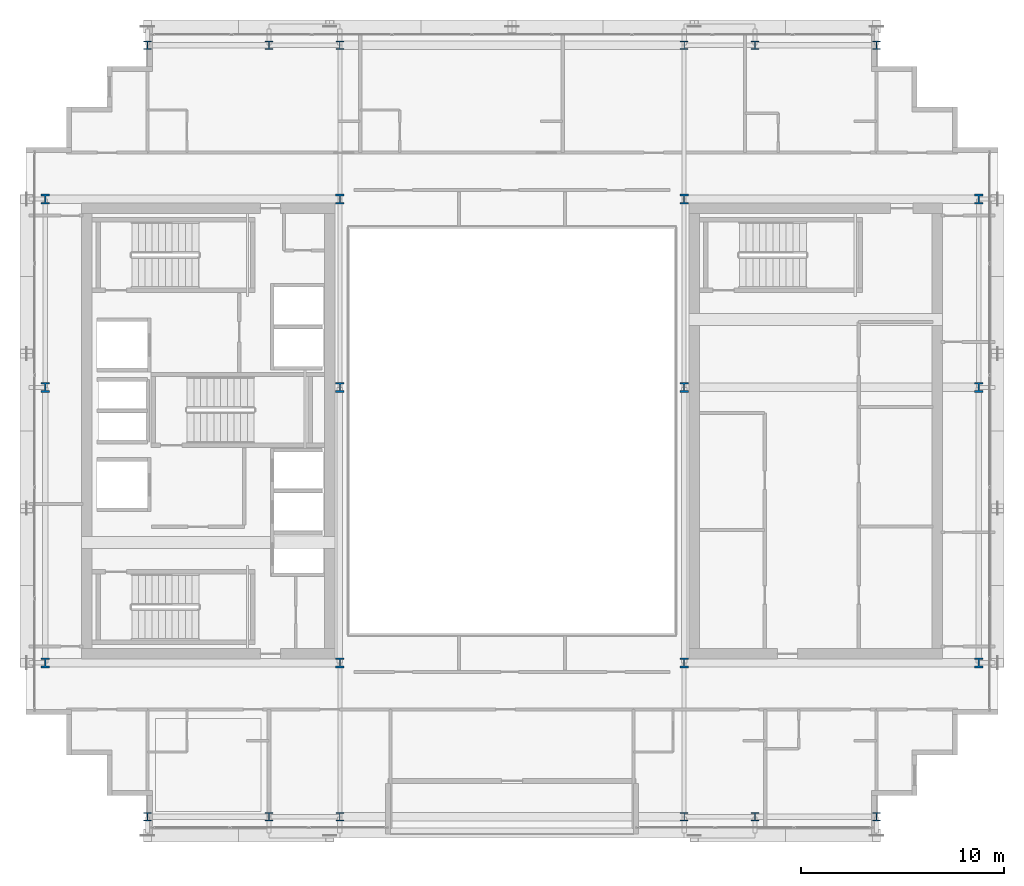
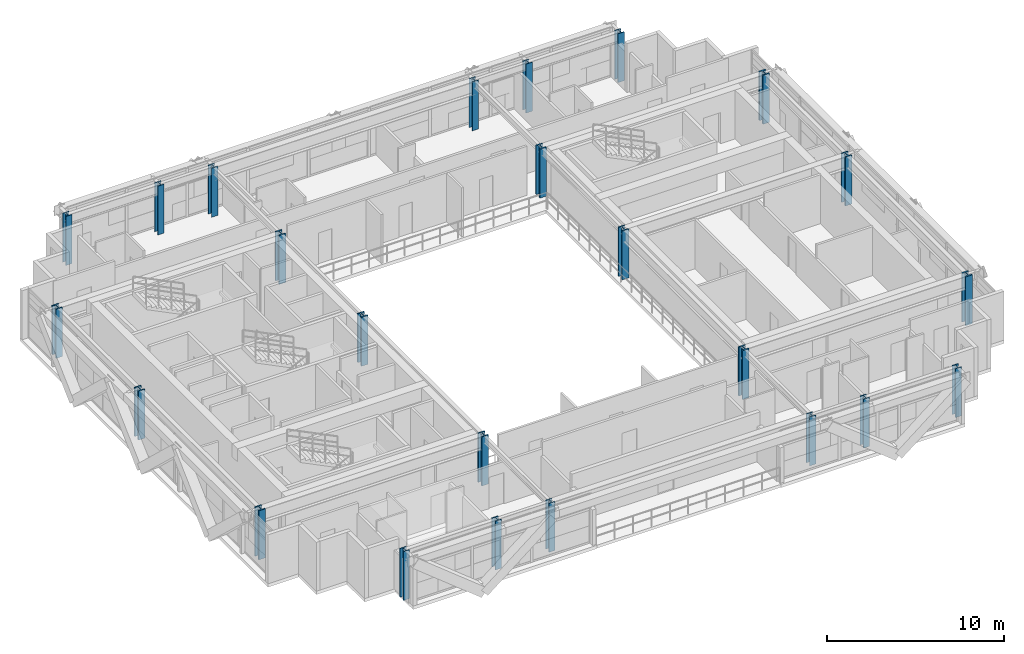
# One storey, part 1 of 32: 24 columns.
"""IFC4 building model written with IfcOpenShell, lengths in metres."""

from ifc_helpers import new_model, si_unit, direction, frame, origin, origin_2d, place, context, subcontext, project, spatial, i_section, extrude, source, transform, mapped, material, material_profile, profile_set, type_object, element, save


model = new_model("IFC4")

# Units and contexts
model_context = context("Model", 3, precision=1e-05, world=origin(), true_north=direction((0.0, 1.0)))
body_context = subcontext(model_context, "Body", "Model", "MODEL_VIEW")
ifc_project = project(units=[si_unit("LENGTHUNIT", "METRE"), si_unit("AREAUNIT", "SQUARE_METRE"), si_unit("VOLUMEUNIT", "CUBIC_METRE"), si_unit("PLANEANGLEUNIT", "RADIAN"), si_unit("MASSUNIT", "GRAM", prefix="KILO")], contexts=[model_context])

# Site, building, storey
site_placement = place(None, origin())
site = spatial("IfcSite", under=ifc_project, at=site_placement, CompositionType="ELEMENT")
building_placement = place(site_placement, origin())
building = spatial("IfcBuilding", under=site, at=building_placement, Name="Ocotamira Hotel", CompositionType="ELEMENT")
storey_placement = place(building_placement, frame((0.0, 0.0, 213.60009765625)))
storey = spatial("IfcBuildingStorey", under=building, at=storey_placement, Name="L54", CompositionType="ELEMENT", Elevation=213.60009765625)

# Columns
ifc_material = material(Name="Steel ASTM A913 Grade 65", Category="steel")
ifc_material_profile_1 = material_profile(ifc_material, i_section(OverallWidth=0.431884765625, OverallDepth=0.498046875, WebThickness=0.0556640625, FlangeThickness=0.0888671875, FilletRadius=0.02490234375, at=origin_2d()), Name="W14X500")
ifc_profile_set_1 = profile_set([ifc_material_profile_1], Name="Steel ASTM A913 Grade 65")
column_type_1 = type_object("IfcColumnType", Name="COL-W14X500", PredefinedType="COLUMN", material=ifc_profile_set_1)
shared_shape_1 = source(origin(), body_context, "Body", "SweptSolid", [
    extrude(i_section(OverallWidth=0.431884765625, OverallDepth=0.498046875, WebThickness=0.0556640625, FlangeThickness=0.0888671875, FilletRadius=0.02490234375, at=origin_2d()), origin(), (0.0, 0.0, 1.0), 3.369873046875),
])
for number, where, z_axis, x_axis, name in (
    (1, (8.949951171875, 14.550048828125, 0.0), (0.0, 0.0, 1.0), (1.0, 0.0, 0.0), "L54 Column TW8_14"),
    (2, (23.5, 14.550048828125, 0.0), (0.0, 0.0, 1.0), (1.0, 0.0, 0.0), "L54 Column TW23_14"),
    (3, (40.5, 14.550048828125, 0.0), (0.0, 0.0, 1.0), (1.0, 0.0, 0.0), "L54 Column TE40_14"),
    (4, (55.050048828125, 14.550048828125, 0.0), (0.0, 0.0, 1.0), (1.0, 0.0, 0.0), "L54 Column TE55_14"),
    (5, (8.949951171875, 28.14990234375, 0.0), (0.0, 0.0, 1.0), (1.0, 0.0, 0.0), "L54 Column TW8_28"),
    (6, (23.5, 28.14990234375, 0.0), (0.0, 0.0, 1.0), (1.0, 0.0, 0.0), "L54 Column TW23_28"),
    (7, (40.5, 28.14990234375, 0.0), (0.0, 0.0, 1.0), (1.0, 0.0, 0.0), "L54 Column TE40_28"),
    (8, (55.050048828125, 28.14990234375, 0.0), (0.0, 0.0, 1.0), (1.0, 0.0, 0.0), "L54 Column TE55_28"),
    (9, (8.949951171875, 37.449951171875, 0.0), (0.0, 0.0, 1.0), (1.0, 0.0, 0.0), "L54 Column TW8_37"),
    (10, (23.5, 37.449951171875, 0.0), (0.0, 0.0, 1.0), (1.0, 0.0, 0.0), "L54 Column TW23_37"),
    (11, (40.5, 37.449951171875, 0.0), (0.0, 0.0, 1.0), (1.0, 0.0, 0.0), "L54 Column TE40_37"),
    (12, (55.050048828125, 37.449951171875, 0.0), (0.0, 0.0, 1.0), (1.0, 0.0, 0.0), "L54 Column TE55_37"),
):
    element("IfcColumn", number, at=place(storey_placement, frame(where, z_axis=z_axis, x_axis=x_axis)), inside=storey, type_object=column_type_1, Name=name, PredefinedType="COLUMN", context=body_context, shape_type="MappedRepresentation", body=[
        mapped(shared_shape_1, transform((0.0, 0.0, 0.0), scale=1.0)),
    ])
ifc_material_profile_2 = material_profile(ifc_material, i_section(OverallWidth=0.404052734375, OverallDepth=0.406982421875, WebThickness=0.027099609375, FlangeThickness=0.043701171875, FilletRadius=0.02490234375, at=origin_2d()), Name="W14X233")
ifc_profile_set_2 = profile_set([ifc_material_profile_2], Name="Steel ASTM A913 Grade 65")
column_type_2 = type_object("IfcColumnType", Name="COL-W14X233", PredefinedType="COLUMN", material=ifc_profile_set_2)
shared_shape_2 = source(origin(), body_context, "Body", "SweptSolid", [
    extrude(i_section(OverallWidth=0.404052734375, OverallDepth=0.406982421875, WebThickness=0.027099609375, FlangeThickness=0.043701171875, FilletRadius=0.02490234375, at=origin_2d()), origin(), (0.0, 0.0, 1.0), 3.369873046875),
])
for number, where, z_axis, x_axis, name in (
    (13, (14.0, 6.949951171875, 0.0), (0.0, 0.0, 1.0), (1.0, 0.0, 0.0), "L54 Column NSP1_14"),
    (14, (20.0, 6.949951171875, 0.0), (0.0, 0.0, 1.0), (1.0, 0.0, 0.0), "L54 Column NSP1_20"),
    (15, (23.5, 6.949951171875, 0.0), (0.0, 0.0, 1.0), (1.0, 0.0, 0.0), "L54 Column NSP1_23"),
    (16, (40.5, 6.949951171875, 0.0), (0.0, 0.0, 1.0), (1.0, 0.0, 0.0), "L54 Column NSP1_40"),
    (17, (44.0, 6.949951171875, 0.0), (0.0, 0.0, 1.0), (1.0, 0.0, 0.0), "L54 Column NSP1_44"),
    (18, (50.0, 6.949951171875, 0.0), (0.0, 0.0, 1.0), (1.0, 0.0, 0.0), "L54 Column NSP1_50"),
    (19, (14.0, 45.050048828125, 0.0), (0.0, 0.0, 1.0), (1.0, 0.0, 0.0), "L54 Column NSP2_14"),
    (20, (20.0, 45.050048828125, 0.0), (0.0, 0.0, 1.0), (1.0, 0.0, 0.0), "L54 Column NSP2_20"),
    (21, (23.5, 45.050048828125, 0.0), (0.0, 0.0, 1.0), (1.0, 0.0, 0.0), "L54 Column NSP2_23"),
    (22, (40.5, 45.050048828125, 0.0), (0.0, 0.0, 1.0), (1.0, 0.0, 0.0), "L54 Column NSP2_40"),
    (23, (44.0, 45.050048828125, 0.0), (0.0, 0.0, 1.0), (1.0, 0.0, 0.0), "L54 Column NSP2_44"),
    (24, (50.0, 45.050048828125, 0.0), (0.0, 0.0, 1.0), (1.0, 0.0, 0.0), "L54 Column NSP2_50"),
):
    element("IfcColumn", number, at=place(storey_placement, frame(where, z_axis=z_axis, x_axis=x_axis)), inside=storey, type_object=column_type_2, Name=name, PredefinedType="COLUMN", context=body_context, shape_type="MappedRepresentation", body=[
        mapped(shared_shape_2, transform((0.0, 0.0, 0.0), scale=1.0)),
    ])

save(model, "model.ifc")
